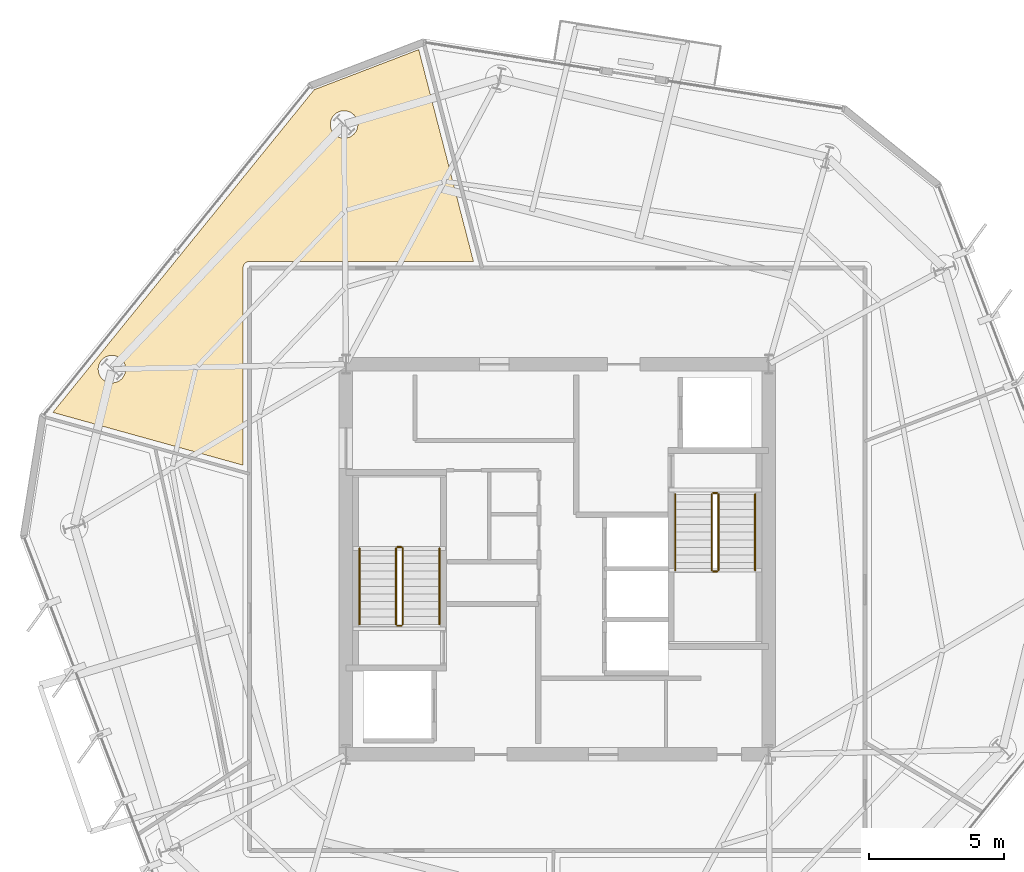
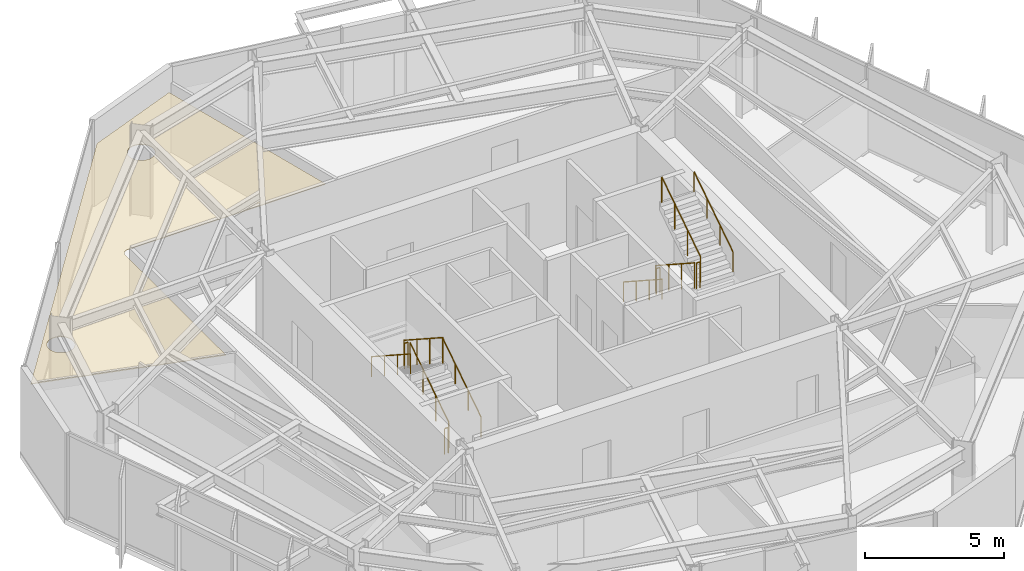
# One storey, part 10 of 11: 12 railings, 1 covering.
"""IFC4 building model written with IfcOpenShell, lengths in metres."""

from ifc_helpers import new_model, si_unit, direction, frame, origin, origin_2d, place, context, subcontext, project, spatial, polyline, circle, outline, extrude, material, layer, layer_set, type_object, element, save


model = new_model("IFC4")

# Units and contexts
model_context = context("Model", 3, precision=1e-05, world=origin(), true_north=direction((0.0, 1.0)))
body_context = subcontext(model_context, "Body", "Model", "MODEL_VIEW")
ifc_project = project(units=[si_unit("LENGTHUNIT", "METRE"), si_unit("AREAUNIT", "SQUARE_METRE"), si_unit("VOLUMEUNIT", "CUBIC_METRE"), si_unit("PLANEANGLEUNIT", "RADIAN"), si_unit("MASSUNIT", "GRAM", prefix="KILO")], contexts=[model_context])

# Site, building, storey
site_placement = place(None, origin())
site = spatial("IfcSite", under=ifc_project, at=site_placement, CompositionType="ELEMENT")
building_placement = place(site_placement, origin())
building = spatial("IfcBuilding", under=site, at=building_placement, Name="Kranzbogen Civic Tower", CompositionType="ELEMENT")
storey_placement = place(building_placement, frame((0.0, 0.0, 228.800048828125)))
storey = spatial("IfcBuildingStorey", under=building, at=storey_placement, Name="L55", CompositionType="ELEMENT", Elevation=228.800048828125)

# Railings
ifc_material_1 = material(Name="Steel S355", Category="steel")
railing_type_1 = type_object("IfcRailingType", Name="Internal Stair and Void Steel Guardrail 1150", PredefinedType="GUARDRAIL", material=ifc_material_1)
railing_1_placement = place(storey_placement, frame((19.300048828125, 22.60009765625, 0.181884765625)))
element("IfcRailing", 1, at=railing_1_placement, inside=storey, type_object=railing_type_1, Name="L55 ST-T1 stair guard 1", PredefinedType="GUARDRAIL", context=body_context, shape_type="SweptSolid", body=[
    extrude(circle(Radius=0.02392578125, at=origin_2d()), frame((0.0, 0.0, 1.1259765625), z_axis=(0.0, 0.83868413941, 0.544618136222), x_axis=(-1.0, 0.0, 0.0)), (0.0, 0.0, 1.0), 3.33837890625),
    extrude(circle(Radius=0.02099609375, at=origin_2d()), origin(), (0.0, 0.0, 1.0), 1.101806640625),
    extrude(circle(Radius=0.02099609375, at=origin_2d()), frame((0.0, 0.933349609375, 0.60595703125)), (0.0, 0.0, 1.0), 1.101806640625),
    extrude(circle(Radius=0.02099609375, at=origin_2d()), frame((0.0, 1.866455078125, 1.212158203125)), (0.0, 0.0, 1.0), 1.101806640625),
    extrude(circle(Radius=0.02099609375, at=origin_2d()), frame((0.0, 2.7998046875, 1.818115234375)), (0.0, 0.0, 1.0), 1.101806640625),
])
railing_2_placement = place(storey_placement, frame((19.25, 25.449951171875, 2.0)))
element("IfcRailing", 2, at=railing_2_placement, inside=storey, type_object=railing_type_1, Name="L55 ST-T1 stair guard 2", PredefinedType="GUARDRAIL", context=body_context, shape_type="SweptSolid", body=[
    extrude(circle(Radius=0.02392578125, at=origin_2d()), frame((0.0, 0.0, 1.1259765625), z_axis=(-1.0, 0.0, 0.0), x_axis=(0.0, -1.0, 0.0)), (0.0, 0.0, 1.0), 0.14990234375),
    extrude(circle(Radius=0.02099609375, at=origin_2d()), origin(), (0.0, 0.0, 1.0), 1.101806640625),
    extrude(circle(Radius=0.02099609375, at=origin_2d()), frame((-0.14990234375, 0.0, 0.0)), (0.0, 0.0, 1.0), 1.101806640625),
])
railing_3_placement = place(storey_placement, frame((19.050048828125, 25.39990234375, 2.181884765625)))
element("IfcRailing", 3, at=railing_3_placement, inside=storey, type_object=railing_type_1, Name="L55 ST-T1 stair guard 3", PredefinedType="GUARDRAIL", context=body_context, shape_type="SweptSolid", body=[
    extrude(circle(Radius=0.02392578125, at=origin_2d()), frame((0.0, 0.0, 1.1259765625), z_axis=(0.0, -0.83868413941, 0.544618136222), x_axis=(1.0, 0.0, 0.0)), (0.0, 0.0, 1.0), 3.33837890625),
    extrude(circle(Radius=0.02099609375, at=origin_2d()), origin(), (0.0, 0.0, 1.0), 1.101806640625),
    extrude(circle(Radius=0.02099609375, at=origin_2d()), frame((0.0, -0.933349609375, 0.60595703125)), (0.0, 0.0, 1.0), 1.101806640625),
    extrude(circle(Radius=0.02099609375, at=origin_2d()), frame((0.0, -1.866455078125, 1.212158203125)), (0.0, 0.0, 1.0), 1.101806640625),
    extrude(circle(Radius=0.02099609375, at=origin_2d()), frame((0.0, -2.7998046875, 1.818115234375)), (0.0, 0.0, 1.0), 1.101806640625),
])
railing_4_placement = place(storey_placement, frame((19.25, 22.550048828125, 0.0)))
element("IfcRailing", 4, at=railing_4_placement, inside=storey, type_object=railing_type_1, Name="L55 ST-T1 stair guard 4", PredefinedType="GUARDRAIL", context=body_context, shape_type="SweptSolid", body=[
    extrude(circle(Radius=0.02392578125, at=origin_2d()), frame((0.0, 0.0, 1.1259765625), z_axis=(-1.0, 0.0, 0.0), x_axis=(0.0, -1.0, 0.0)), (0.0, 0.0, 1.0), 0.14990234375),
    extrude(circle(Radius=0.02099609375, at=origin_2d()), origin(), (0.0, 0.0, 1.0), 1.101806640625),
    extrude(circle(Radius=0.02099609375, at=origin_2d()), frame((-0.14990234375, 0.0, 0.0)), (0.0, 0.0, 1.0), 1.101806640625),
])
railing_5_placement = place(storey_placement, frame((30.699951171875, 27.39990234375, 0.181884765625)))
element("IfcRailing", 5, at=railing_5_placement, inside=storey, type_object=railing_type_1, Name="L55 ST-T2 stair guard 1", PredefinedType="GUARDRAIL", context=body_context, shape_type="SweptSolid", body=[
    extrude(circle(Radius=0.02392578125, at=origin_2d()), frame((0.0, 0.0, 1.1259765625), z_axis=(0.0, -0.83868413941, 0.544618136222), x_axis=(1.0, 0.0, 0.0)), (0.0, 0.0, 1.0), 3.33837890625),
    extrude(circle(Radius=0.02099609375, at=origin_2d()), origin(), (0.0, 0.0, 1.0), 1.101806640625),
    extrude(circle(Radius=0.02099609375, at=origin_2d()), frame((0.0, -0.933349609375, 0.60595703125)), (0.0, 0.0, 1.0), 1.101806640625),
    extrude(circle(Radius=0.02099609375, at=origin_2d()), frame((0.0, -1.866455078125, 1.212158203125)), (0.0, 0.0, 1.0), 1.101806640625),
    extrude(circle(Radius=0.02099609375, at=origin_2d()), frame((0.0, -2.7998046875, 1.818115234375)), (0.0, 0.0, 1.0), 1.101806640625),
])
railing_6_placement = place(storey_placement, frame((30.75, 24.550048828125, 2.0)))
element("IfcRailing", 6, at=railing_6_placement, inside=storey, type_object=railing_type_1, Name="L55 ST-T2 stair guard 2", PredefinedType="GUARDRAIL", context=body_context, shape_type="SweptSolid", body=[
    extrude(circle(Radius=0.02392578125, at=origin_2d()), frame((0.0, 0.0, 1.1259765625), z_axis=(1.0, 0.0, 0.0), x_axis=(0.0, 1.0, 0.0)), (0.0, 0.0, 1.0), 0.14990234375),
    extrude(circle(Radius=0.02099609375, at=origin_2d()), origin(), (0.0, 0.0, 1.0), 1.101806640625),
    extrude(circle(Radius=0.02099609375, at=origin_2d()), frame((0.14990234375, 0.0, 0.0)), (0.0, 0.0, 1.0), 1.101806640625),
])
railing_7_placement = place(storey_placement, frame((30.949951171875, 24.60009765625, 2.181884765625)))
element("IfcRailing", 7, at=railing_7_placement, inside=storey, type_object=railing_type_1, Name="L55 ST-T2 stair guard 3", PredefinedType="GUARDRAIL", context=body_context, shape_type="SweptSolid", body=[
    extrude(circle(Radius=0.02392578125, at=origin_2d()), frame((0.0, 0.0, 1.1259765625), z_axis=(0.0, 0.83868413941, 0.544618136222), x_axis=(-1.0, 0.0, 0.0)), (0.0, 0.0, 1.0), 3.33837890625),
    extrude(circle(Radius=0.02099609375, at=origin_2d()), origin(), (0.0, 0.0, 1.0), 1.101806640625),
    extrude(circle(Radius=0.02099609375, at=origin_2d()), frame((0.0, 0.933349609375, 0.60595703125)), (0.0, 0.0, 1.0), 1.101806640625),
    extrude(circle(Radius=0.02099609375, at=origin_2d()), frame((0.0, 1.866455078125, 1.212158203125)), (0.0, 0.0, 1.0), 1.101806640625),
    extrude(circle(Radius=0.02099609375, at=origin_2d()), frame((0.0, 2.7998046875, 1.818115234375)), (0.0, 0.0, 1.0), 1.101806640625),
])
railing_8_placement = place(storey_placement, frame((30.75, 27.449951171875, 0.0)))
element("IfcRailing", 8, at=railing_8_placement, inside=storey, type_object=railing_type_1, Name="L55 ST-T2 stair guard 4", PredefinedType="GUARDRAIL", context=body_context, shape_type="SweptSolid", body=[
    extrude(circle(Radius=0.02392578125, at=origin_2d()), frame((0.0, 0.0, 1.1259765625), z_axis=(1.0, 0.0, 0.0), x_axis=(0.0, 1.0, 0.0)), (0.0, 0.0, 1.0), 0.14990234375),
    extrude(circle(Radius=0.02099609375, at=origin_2d()), origin(), (0.0, 0.0, 1.0), 1.101806640625),
    extrude(circle(Radius=0.02099609375, at=origin_2d()), frame((0.14990234375, 0.0, 0.0)), (0.0, 0.0, 1.0), 1.101806640625),
])

# Covering
ifc_material_2 = material(Name="Perforated Acoustic Gypsum Ceiling")
ifc_layer = layer(ifc_material_2, 0.02490234375, Name="Perforated Acoustic Gypsum Ceiling")
ifc_layer_set = layer_set([ifc_layer], Name="Perforated Acoustic Gypsum Ceiling")
covering_type = type_object("IfcCoveringType", Name="Perforated Acoustic Mineral Ceiling Tile 25 mm", PredefinedType="CEILING", material=ifc_layer_set)
covering_placement = place(storey_placement, frame((0.0, 0.0, 2.75)))
element("IfcCovering", 9, at=covering_placement, inside=storey, type_object=covering_type, Name="L55 Civic Reference Library acoustic ceiling", PredefinedType="CEILING", context=body_context, shape_type="SweptSolid", body=[
    extrude(outline(polyline([(19.886962890625, 43.80810546875), (21.906005859375, 35.9951171875), (13.64990234375, 35.9951171875), (13.64111328125, 35.9951171875), (13.635009765625, 35.993896484375), (13.616943359375, 35.992919921875), (13.611083984375, 35.991943359375), (13.593994140625, 35.988037109375), (13.5869140625, 35.987060546875), (13.570068359375, 35.98193359375), (13.56396484375, 35.97998046875), (13.548095703125, 35.972900390625), (13.5419921875, 35.969970703125), (13.527099609375, 35.9619140625), (13.52099609375, 35.9580078125), (13.507080078125, 35.948974609375), (13.501953125, 35.945068359375), (13.488037109375, 35.93408203125), (13.48291015625, 35.928955078125), (13.470947265625, 35.9169921875), (13.466064453125, 35.912109375), (13.455078125, 35.89794921875), (13.450927734375, 35.89306640625), (13.44189453125, 35.87890625), (13.43798828125, 35.873046875), (13.429931640625, 35.85791015625), (13.427001953125, 35.85205078125), (13.419921875, 35.8359375), (13.41796875, 35.830078125), (13.4130859375, 35.81298828125), (13.412109375, 35.805908203125), (13.407958984375, 35.7890625), (13.406982421875, 35.782958984375), (13.406005859375, 35.764892578125), (13.405029296875, 35.759033203125), (13.405029296875, 35.75), (13.405029296875, 28.471923828125), (6.387939453125, 30.419921875), (16.031982421875, 42.3291015625), (19.886962890625, 43.80810546875)]), holes=[polyline([(9.035888671875, 31.822021484375), (9.013916015625, 31.777099609375), (8.989013671875, 31.73388671875), (8.958984375, 31.694091796875), (8.926025390625, 31.656982421875), (8.888916015625, 31.6240234375), (8.84912109375, 31.593994140625), (8.805908203125, 31.569091796875), (8.760986328125, 31.547119140625), (8.714111328125, 31.531005859375), (8.666015625, 31.51904296875), (8.616943359375, 31.510986328125), (8.56689453125, 31.509033203125), (8.51708984375, 31.510986328125), (8.468017578125, 31.51904296875), (8.419921875, 31.531005859375), (8.373046875, 31.547119140625), (8.327880859375, 31.569091796875), (8.284912109375, 31.593994140625), (8.2451171875, 31.6240234375), (8.2080078125, 31.656982421875), (8.175048828125, 31.694091796875), (8.14501953125, 31.73388671875), (8.1201171875, 31.777099609375), (8.097900390625, 31.822021484375), (8.08203125, 31.868896484375), (8.070068359375, 31.9169921875), (8.06201171875, 31.966064453125), (8.06005859375, 32.01611328125), (8.06201171875, 32.06591796875), (8.070068359375, 32.114990234375), (8.08203125, 32.1630859375), (8.097900390625, 32.2099609375), (8.1201171875, 32.2548828125), (8.14501953125, 32.298095703125), (8.175048828125, 32.337890625), (8.2080078125, 32.375), (8.2451171875, 32.407958984375), (8.284912109375, 32.43798828125), (8.327880859375, 32.462890625), (8.373046875, 32.485107421875), (8.419921875, 32.5009765625), (8.468017578125, 32.512939453125), (8.51708984375, 32.52099609375), (8.56689453125, 32.52294921875), (8.616943359375, 32.52099609375), (8.666015625, 32.512939453125), (8.714111328125, 32.5009765625), (8.760986328125, 32.485107421875), (8.805908203125, 32.462890625), (8.84912109375, 32.43798828125), (8.888916015625, 32.407958984375), (8.926025390625, 32.375), (8.958984375, 32.337890625), (8.989013671875, 32.298095703125), (9.013916015625, 32.2548828125), (9.035888671875, 32.2099609375), (9.052001953125, 32.1630859375), (9.06396484375, 32.114990234375), (9.072021484375, 32.06591796875), (9.073974609375, 32.01611328125), (9.072021484375, 31.966064453125), (9.06396484375, 31.9169921875), (9.052001953125, 31.868896484375), (9.035888671875, 31.822021484375)]), polyline([(17.60205078125, 40.85009765625), (17.580078125, 40.804931640625), (17.554931640625, 40.761962890625), (17.52490234375, 40.721923828125), (17.491943359375, 40.68505859375), (17.455078125, 40.652099609375), (17.4150390625, 40.6220703125), (17.3720703125, 40.596923828125), (17.326904296875, 40.574951171875), (17.280029296875, 40.55908203125), (17.23193359375, 40.547119140625), (17.18310546875, 40.5390625), (17.133056640625, 40.537109375), (17.0830078125, 40.5390625), (17.033935546875, 40.547119140625), (16.986083984375, 40.55908203125), (16.93896484375, 40.574951171875), (16.89404296875, 40.596923828125), (16.85107421875, 40.6220703125), (16.81103515625, 40.652099609375), (16.77392578125, 40.68505859375), (16.740966796875, 40.721923828125), (16.7109375, 40.761962890625), (16.68603515625, 40.804931640625), (16.6640625, 40.85009765625), (16.64794921875, 40.89697265625), (16.635986328125, 40.945068359375), (16.6279296875, 40.993896484375), (16.6259765625, 41.0439453125), (16.6279296875, 41.093994140625), (16.635986328125, 41.14306640625), (16.64794921875, 41.19091796875), (16.6640625, 41.238037109375), (16.68603515625, 41.282958984375), (16.7109375, 41.325927734375), (16.740966796875, 41.365966796875), (16.77392578125, 41.403076171875), (16.81103515625, 41.43603515625), (16.85107421875, 41.466064453125), (16.89404296875, 41.490966796875), (16.93896484375, 41.512939453125), (16.986083984375, 41.529052734375), (17.033935546875, 41.541015625), (17.0830078125, 41.549072265625), (17.133056640625, 41.551025390625), (17.18310546875, 41.549072265625), (17.23193359375, 41.541015625), (17.280029296875, 41.529052734375), (17.326904296875, 41.512939453125), (17.3720703125, 41.490966796875), (17.4150390625, 41.466064453125), (17.455078125, 41.43603515625), (17.491943359375, 41.403076171875), (17.52490234375, 41.365966796875), (17.554931640625, 41.325927734375), (17.580078125, 41.282958984375), (17.60205078125, 41.238037109375), (17.617919921875, 41.19091796875), (17.6298828125, 41.14306640625), (17.637939453125, 41.093994140625), (17.639892578125, 41.0439453125), (17.637939453125, 40.993896484375), (17.6298828125, 40.945068359375), (17.617919921875, 40.89697265625), (17.60205078125, 40.85009765625)])]), origin(), (0.0, 0.0, 1.0), 0.02490234375),
])

# Railings
ifc_material_3 = material(Name="Pale Anodised Aluminium", Category="aluminium")
railing_type_2 = type_object("IfcRailingType", Name="Tubular Stainless Stair Wall Handrail 900", PredefinedType="HANDRAIL", material=ifc_material_3)
railing_9_placement = place(storey_placement, frame((20.64990234375, 22.60009765625, 0.181884765625)))
element("IfcRailing", 10, at=railing_9_placement, inside=storey, type_object=railing_type_2, Name="L55 ST-T1 stair handrail 1", PredefinedType="HANDRAIL", context=body_context, shape_type="SweptSolid", body=[
    extrude(circle(Radius=0.02392578125, at=origin_2d()), frame((0.0, 0.0, 0.8759765625), z_axis=(0.0, 0.83868413941, 0.544618136222), x_axis=(-1.0, 0.0, 0.0)), (0.0, 0.0, 1.0), 3.33837890625),
    extrude(circle(Radius=0.02099609375, at=origin_2d()), origin(), (0.0, 0.0, 1.0), 0.851806640625),
    extrude(circle(Radius=0.02099609375, at=origin_2d()), frame((0.0, 0.933349609375, 0.60595703125)), (0.0, 0.0, 1.0), 0.851806640625),
    extrude(circle(Radius=0.02099609375, at=origin_2d()), frame((0.0, 1.866455078125, 1.212158203125)), (0.0, 0.0, 1.0), 0.851806640625),
    extrude(circle(Radius=0.02099609375, at=origin_2d()), frame((0.0, 2.7998046875, 1.818115234375)), (0.0, 0.0, 1.0), 0.851806640625),
])
for number, where, name in (
    (11, (17.699951171875, 25.39990234375, 2.181884765625), "L55 ST-T1 stair handrail 2"),
    (12, (29.35009765625, 27.39990234375, 0.181884765625), "L55 ST-T2 stair handrail 1"),
):
    element("IfcRailing", number, at=place(storey_placement, frame(where)), inside=storey, type_object=railing_type_2, Name=name, PredefinedType="HANDRAIL", context=body_context, shape_type="SweptSolid", body=[
        extrude(circle(Radius=0.02392578125, at=origin_2d()), frame((0.0, 0.0, 0.8759765625), z_axis=(0.0, -0.83868413941, 0.544618136222), x_axis=(1.0, 0.0, 0.0)), (0.0, 0.0, 1.0), 3.33837890625),
        extrude(circle(Radius=0.02099609375, at=origin_2d()), origin(), (0.0, 0.0, 1.0), 0.851806640625),
        extrude(circle(Radius=0.02099609375, at=origin_2d()), frame((0.0, -0.933349609375, 0.60595703125)), (0.0, 0.0, 1.0), 0.851806640625),
        extrude(circle(Radius=0.02099609375, at=origin_2d()), frame((0.0, -1.866455078125, 1.212158203125)), (0.0, 0.0, 1.0), 0.851806640625),
        extrude(circle(Radius=0.02099609375, at=origin_2d()), frame((0.0, -2.7998046875, 1.818115234375)), (0.0, 0.0, 1.0), 0.851806640625),
    ])
railing_10_placement = place(storey_placement, frame((32.300048828125, 24.60009765625, 2.181884765625)))
element("IfcRailing", 13, at=railing_10_placement, inside=storey, type_object=railing_type_2, Name="L55 ST-T2 stair handrail 2", PredefinedType="HANDRAIL", context=body_context, shape_type="SweptSolid", body=[
    extrude(circle(Radius=0.02392578125, at=origin_2d()), frame((0.0, 0.0, 0.8759765625), z_axis=(0.0, 0.83868413941, 0.544618136222), x_axis=(-1.0, 0.0, 0.0)), (0.0, 0.0, 1.0), 3.33837890625),
    extrude(circle(Radius=0.02099609375, at=origin_2d()), origin(), (0.0, 0.0, 1.0), 0.851806640625),
    extrude(circle(Radius=0.02099609375, at=origin_2d()), frame((0.0, 0.933349609375, 0.60595703125)), (0.0, 0.0, 1.0), 0.851806640625),
    extrude(circle(Radius=0.02099609375, at=origin_2d()), frame((0.0, 1.866455078125, 1.212158203125)), (0.0, 0.0, 1.0), 0.851806640625),
    extrude(circle(Radius=0.02099609375, at=origin_2d()), frame((0.0, 2.7998046875, 1.818115234375)), (0.0, 0.0, 1.0), 0.851806640625),
])

save(model, "model.ifc")
